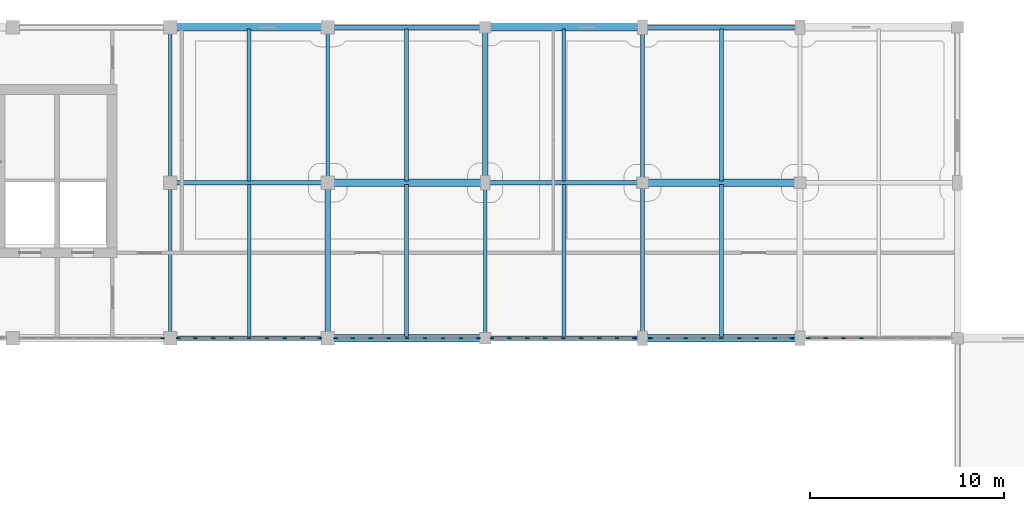
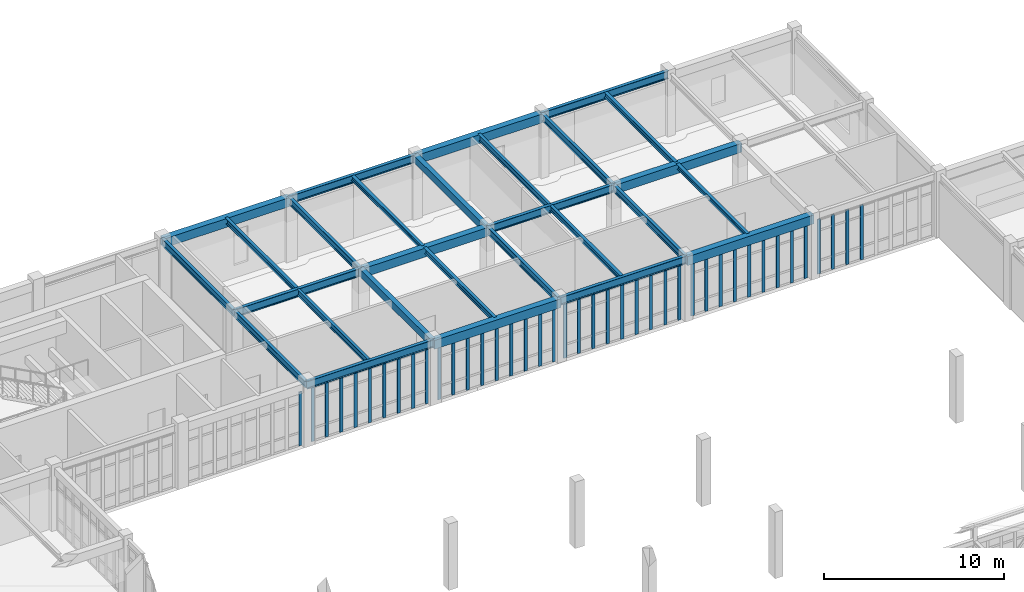
# One storey, part 18 of 67: 41 members, 28 beams, 6 elements without a shape of their own.
"""IFC4 building model written with IfcOpenShell, lengths in metres."""

from ifc_helpers import new_model, si_unit, direction, frame, origin, origin_2d, place, context, subcontext, project, spatial, rectangle, i_section, extrude, material, material_profile, profile_set, type_object, element, aggregate, save


model = new_model("IFC4")

# Units and contexts
model_context = context("Model", 3, precision=1e-05, world=origin(), true_north=direction((0.0, 1.0)))
body_context = subcontext(model_context, "Body", "Model", "MODEL_VIEW")
ifc_project = project(units=[si_unit("LENGTHUNIT", "METRE"), si_unit("AREAUNIT", "SQUARE_METRE"), si_unit("VOLUMEUNIT", "CUBIC_METRE"), si_unit("PLANEANGLEUNIT", "RADIAN"), si_unit("MASSUNIT", "GRAM", prefix="KILO")], contexts=[model_context])

# Site, building, storey
site_placement = place(None, origin())
site = spatial("IfcSite", under=ifc_project, at=site_placement, CompositionType="ELEMENT")
building_placement = place(site_placement, origin())
building = spatial("IfcBuilding", under=site, at=building_placement, Name="Tarnveldt Square Police Headquarters", CompositionType="ELEMENT")
storey_placement = place(building_placement, frame((0.0, 0.0, 10.199951171875)))
storey = spatial("IfcBuildingStorey", under=building, at=storey_placement, Name="L02", CompositionType="ELEMENT", Elevation=10.199951171875)

# Beams
ifc_material_1 = material(Name="Concrete 40 MPa", Category="concrete")
ifc_material_profile_1 = material_profile(ifc_material_1, rectangle(XDim=0.300048828125, YDim=0.5, at=origin_2d()), Name="RC-B300x500")
ifc_profile_set_1 = profile_set([ifc_material_profile_1], Name="Concrete 40 MPa")
beam_type_1 = type_object("IfcBeamType", Name="BM-RC300x500", PredefinedType="BEAM", material=ifc_profile_set_1)
for number, where, z_axis, x_axis, name in (
    (1, (72.89990234375, 96.0, 3.989990234375), (0.0, 1.0, 0.0), (-1.0, 0.0, 0.0), "L03 Grid Girder Y-0784"),
    (2, (81.0, 104.0, 3.989990234375), (0.0, 1.0, 0.0), (-1.0, 0.0, 0.0), "L03 Grid Girder Y-0787"),
):
    element("IfcBeam", number, at=place(storey_placement, frame(where, z_axis=z_axis, x_axis=x_axis)), inside=storey, type_object=beam_type_1, Name=name, PredefinedType="BEAM", context=body_context, shape_type="SweptSolid", body=[
        extrude(rectangle(XDim=0.300048828125, YDim=0.5, at=origin_2d()), origin(), (0.0, 0.0, 1.0), 8.0),
    ])
ifc_material_profile_2 = material_profile(ifc_material_1, rectangle(XDim=0.39990234375, YDim=0.60009765625, at=origin_2d()), Name="RC-B400x600")
ifc_profile_set_2 = profile_set([ifc_material_profile_2], Name="Concrete 40 MPa")
beam_type_2 = type_object("IfcBeamType", Name="BM-RC400x600", PredefinedType="BEAM", material=ifc_profile_set_2)
beam_1_placement = place(storey_placement, frame((72.89990234375, 96.0, 3.93994140625), z_axis=(1.0, 0.0, 0.0), x_axis=(0.0, 1.0, 0.0)))
element("IfcBeam", 3, at=beam_1_placement, inside=storey, type_object=beam_type_2, Name="L03 Grid Girder X-0716", PredefinedType="BEAM", context=body_context, shape_type="SweptSolid", body=[
    extrude(rectangle(XDim=0.39990234375, YDim=0.60009765625, at=origin_2d()), origin(), (0.0, 0.0, 1.0), 8.10009765625),
])
beam_2_placement = place(storey_placement, frame((89.10009765625, 96.0, 3.93994140625), z_axis=(1.0, 0.0, 0.0), x_axis=(0.0, 1.0, 0.0)))
element("IfcBeam", 4, at=beam_2_placement, inside=storey, type_object=beam_type_2, Name="L03 Grid Girder X-0718", PredefinedType="BEAM", context=body_context, shape_type="SweptSolid", body=[
    extrude(rectangle(XDim=0.39990234375, YDim=0.60009765625, at=origin_2d()), origin(), (0.0, 0.0, 1.0), 8.099853515625),
])
beam_3_placement = place(storey_placement, frame((72.89990234375, 104.0, 3.93994140625), z_axis=(1.0, 0.0, 0.0), x_axis=(0.0, 1.0, 0.0)))
element("IfcBeam", 5, at=beam_3_placement, inside=storey, type_object=beam_type_2, Name="L03 Grid Girder X-0724", PredefinedType="BEAM", context=body_context, shape_type="SweptSolid", body=[
    extrude(rectangle(XDim=0.39990234375, YDim=0.60009765625, at=origin_2d()), origin(), (0.0, 0.0, 1.0), 8.10009765625),
])
for number, where, z_axis, x_axis, name in (
    (6, (89.10009765625, 104.0, 3.93994140625), (1.0, 0.0, 0.0), (0.0, 1.0, 0.0), "L03 Grid Girder X-0726"),
    (7, (64.800048828125, 112.0, 3.93994140625), (1.0, 0.0, 0.0), (0.0, 1.0, 0.0), "L03 Grid Girder X-0734"),
):
    element("IfcBeam", number, at=place(storey_placement, frame(where, z_axis=z_axis, x_axis=x_axis)), inside=storey, type_object=beam_type_2, Name=name, PredefinedType="BEAM", context=body_context, shape_type="SweptSolid", body=[
        extrude(rectangle(XDim=0.39990234375, YDim=0.60009765625, at=origin_2d()), origin(), (0.0, 0.0, 1.0), 8.099853515625),
    ])
beam_4_placement = place(storey_placement, frame((81.0, 112.0, 3.93994140625), z_axis=(1.0, 0.0, 0.0), x_axis=(0.0, 1.0, 0.0)))
element("IfcBeam", 8, at=beam_4_placement, inside=storey, type_object=beam_type_2, Name="L03 Grid Girder X-0736", PredefinedType="BEAM", context=body_context, shape_type="SweptSolid", body=[
    extrude(rectangle(XDim=0.39990234375, YDim=0.60009765625, at=origin_2d()), origin(), (0.0, 0.0, 1.0), 8.10009765625),
])
ifc_material_2 = material(Name="Steel 350W", Category="steel")
ifc_material_profile_3 = material_profile(ifc_material_2, i_section(OverallWidth=0.202880859375, OverallDepth=0.302978515625, WebThickness=0.007568359375, FlangeThickness=0.01318359375, FilletRadius=0.014892578125, at=origin_2d()), Name="W310x60")
ifc_profile_set_3 = profile_set([ifc_material_profile_3], Name="Steel 350W")
beam_type_3 = type_object("IfcBeamType", Name="BM-W310x60", PredefinedType="JOIST", material=ifc_profile_set_3)
for number, where, z_axis, x_axis, name in (
    (9, (93.14990234375, 96.080078125, 4.088623046875), (0.0, 1.0, 0.0), (-1.0, 0.0, 0.0), "L03 Secondary Floor Joist 0172"),
    (10, (76.949951171875, 104.080078125, 4.088623046875), (0.0, 1.0, 0.0), (-1.0, 0.0, 0.0), "L03 Secondary Floor Joist 0176"),
):
    element("IfcBeam", number, at=place(storey_placement, frame(where, z_axis=z_axis, x_axis=x_axis)), inside=storey, type_object=beam_type_3, Name=name, PredefinedType="JOIST", context=body_context, shape_type="SweptSolid", body=[
        extrude(i_section(OverallWidth=0.202880859375, OverallDepth=0.302978515625, WebThickness=0.007568359375, FlangeThickness=0.01318359375, FilletRadius=0.014892578125, at=origin_2d()), origin(), (0.0, 0.0, 1.0), 7.83984375),
    ])
ifc_material_profile_4 = material_profile(ifc_material_2, i_section(OverallWidth=0.202880859375, OverallDepth=0.346923828125, WebThickness=0.0078125, FlangeThickness=0.013427734375, FilletRadius=0.01611328125, at=origin_2d()), Name="W360x64")
ifc_profile_set_4 = profile_set([ifc_material_profile_4], Name="Steel 350W")
beam_type_4 = type_object("IfcBeamType", Name="BM-W360x64", PredefinedType="JOIST", material=ifc_profile_set_4)
for number, where, z_axis, x_axis, name in (
    (11, (85.050048828125, 96.080078125, 4.066650390625), (0.0, 1.0, 0.0), (-1.0, 0.0, 0.0), "L03 Secondary Floor Joist 0171"),
    (12, (68.85009765625, 104.080078125, 4.066650390625), (0.0, 1.0, 0.0), (-1.0, 0.0, 0.0), "L03 Secondary Floor Joist 0175"),
):
    element("IfcBeam", number, at=place(storey_placement, frame(where, z_axis=z_axis, x_axis=x_axis)), inside=storey, type_object=beam_type_4, Name=name, PredefinedType="JOIST", context=body_context, shape_type="SweptSolid", body=[
        extrude(i_section(OverallWidth=0.202880859375, OverallDepth=0.346923828125, WebThickness=0.0078125, FlangeThickness=0.013427734375, FilletRadius=0.01611328125, at=origin_2d()), origin(), (0.0, 0.0, 1.0), 7.83984375),
    ])
ifc_material_profile_5 = material_profile(ifc_material_2, i_section(OverallWidth=0.205078125, OverallDepth=0.35400390625, WebThickness=0.009521484375, FlangeThickness=0.016845703125, FilletRadius=0.01611328125, at=origin_2d()), Name="W360x79")
ifc_profile_set_5 = profile_set([ifc_material_profile_5], Name="Steel 350W")
beam_type_5 = type_object("IfcBeamType", Name="BM-W360x79", PredefinedType="JOIST", material=ifc_profile_set_5)
for number, where, z_axis, x_axis, name in (
    (13, (76.949951171875, 96.080078125, 4.06298828125), (0.0, 1.0, 0.0), (-1.0, 0.0, 0.0), "L03 Secondary Floor Joist 0170"),
    (14, (93.14990234375, 104.080078125, 4.06298828125), (0.0, 1.0, 0.0), (-1.0, 0.0, 0.0), "L03 Secondary Floor Joist 0178"),
):
    element("IfcBeam", number, at=place(storey_placement, frame(where, z_axis=z_axis, x_axis=x_axis)), inside=storey, type_object=beam_type_5, Name=name, PredefinedType="JOIST", context=body_context, shape_type="SweptSolid", body=[
        extrude(i_section(OverallWidth=0.205078125, OverallDepth=0.35400390625, WebThickness=0.009521484375, FlangeThickness=0.016845703125, FilletRadius=0.01611328125, at=origin_2d()), origin(), (0.0, 0.0, 1.0), 7.83984375),
    ])
ifc_material_profile_6 = material_profile(ifc_material_2, i_section(OverallWidth=0.177978515625, OverallDepth=0.406982421875, WebThickness=0.0078125, FlangeThickness=0.0126953125, FilletRadius=0.01611328125, at=origin_2d()), Name="W410x60")
ifc_profile_set_6 = profile_set([ifc_material_profile_6], Name="Steel 350W")
beam_type_6 = type_object("IfcBeamType", Name="BM-W410x60", PredefinedType="JOIST", material=ifc_profile_set_6)
for number, where, z_axis, x_axis, name in (
    (15, (68.85009765625, 96.080078125, 4.03662109375), (0.0, 1.0, 0.0), (-1.0, 0.0, 0.0), "L03 Secondary Floor Joist 0169"),
    (16, (85.050048828125, 104.080078125, 4.03662109375), (0.0, 1.0, 0.0), (-1.0, 0.0, 0.0), "L03 Secondary Floor Joist 0177"),
):
    element("IfcBeam", number, at=place(storey_placement, frame(where, z_axis=z_axis, x_axis=x_axis)), inside=storey, type_object=beam_type_6, Name=name, PredefinedType="JOIST", context=body_context, shape_type="SweptSolid", body=[
        extrude(i_section(OverallWidth=0.177978515625, OverallDepth=0.406982421875, WebThickness=0.0078125, FlangeThickness=0.0126953125, FilletRadius=0.01611328125, at=origin_2d()), origin(), (0.0, 0.0, 1.0), 7.83984375),
    ])
ifc_material_profile_7 = material_profile(ifc_material_2, i_section(OverallWidth=0.19189453125, OverallDepth=0.462890625, WebThickness=0.010498046875, FlangeThickness=0.017578125, FilletRadius=0.01806640625, at=origin_2d()), Name="W460x89")
ifc_profile_set_7 = profile_set([ifc_material_profile_7], Name="Steel 350W")
beam_type_7 = type_object("IfcBeamType", Name="BM-W460x89", PredefinedType="BEAM", material=ifc_profile_set_7)
for number, where, z_axis, x_axis, name in (
    (17, (64.800048828125, 96.0, 4.008544921875), (0.0, 1.0, 0.0), (-1.0, 0.0, 0.0), "L03 Grid Girder Y-0782"),
    (18, (64.800048828125, 104.0, 4.008544921875), (0.0, 1.0, 0.0), (-1.0, 0.0, 0.0), "L03 Grid Girder Y-0783"),
    (19, (72.89990234375, 104.0, 4.008544921875), (0.0, 1.0, 0.0), (-1.0, 0.0, 0.0), "L03 Grid Girder Y-0785"),
    (20, (81.0, 96.0, 4.008544921875), (0.0, 1.0, 0.0), (-1.0, 0.0, 0.0), "L03 Grid Girder Y-0786"),
    (21, (89.10009765625, 96.0, 4.008544921875), (0.0, 1.0, 0.0), (-1.0, 0.0, 0.0), "L03 Grid Girder Y-0788"),
    (22, (89.10009765625, 104.0, 4.008544921875), (0.0, 1.0, 0.0), (-1.0, 0.0, 0.0), "L03 Grid Girder Y-0789"),
):
    element("IfcBeam", number, at=place(storey_placement, frame(where, z_axis=z_axis, x_axis=x_axis)), inside=storey, type_object=beam_type_7, Name=name, PredefinedType="BEAM", context=body_context, shape_type="SweptSolid", body=[
        extrude(i_section(OverallWidth=0.19189453125, OverallDepth=0.462890625, WebThickness=0.010498046875, FlangeThickness=0.017578125, FilletRadius=0.01806640625, at=origin_2d()), origin(), (0.0, 0.0, 1.0), 8.0),
    ])
ifc_material_profile_8 = material_profile(ifc_material_2, i_section(OverallWidth=0.208984375, OverallDepth=0.532958984375, WebThickness=0.01025390625, FlangeThickness=0.015625, FilletRadius=0.01904296875, at=origin_2d()), Name="W530x92")
ifc_profile_set_8 = profile_set([ifc_material_profile_8], Name="Steel 350W")
beam_type_8 = type_object("IfcBeamType", Name="BM-W530x92", PredefinedType="BEAM", material=ifc_profile_set_8)
beam_5_placement = place(storey_placement, frame((64.800048828125, 96.0, 3.9736328125), z_axis=(1.0, 0.0, 0.0), x_axis=(0.0, 1.0, 0.0)))
element("IfcBeam", 23, at=beam_5_placement, inside=storey, type_object=beam_type_8, Name="L03 Grid Girder X-0715", PredefinedType="BEAM", context=body_context, shape_type="SweptSolid", body=[
    extrude(i_section(OverallWidth=0.208984375, OverallDepth=0.532958984375, WebThickness=0.01025390625, FlangeThickness=0.015625, FilletRadius=0.01904296875, at=origin_2d()), origin(), (0.0, 0.0, 1.0), 8.099853515625),
])
beam_6_placement = place(storey_placement, frame((81.0, 96.0, 3.9736328125), z_axis=(1.0, 0.0, 0.0), x_axis=(0.0, 1.0, 0.0)))
element("IfcBeam", 24, at=beam_6_placement, inside=storey, type_object=beam_type_8, Name="L03 Grid Girder X-0717", PredefinedType="BEAM", context=body_context, shape_type="SweptSolid", body=[
    extrude(i_section(OverallWidth=0.208984375, OverallDepth=0.532958984375, WebThickness=0.01025390625, FlangeThickness=0.015625, FilletRadius=0.01904296875, at=origin_2d()), origin(), (0.0, 0.0, 1.0), 8.10009765625),
])
beam_7_placement = place(storey_placement, frame((64.800048828125, 104.0, 3.9736328125), z_axis=(1.0, 0.0, 0.0), x_axis=(0.0, 1.0, 0.0)))
element("IfcBeam", 25, at=beam_7_placement, inside=storey, type_object=beam_type_8, Name="L03 Grid Girder X-0723", PredefinedType="BEAM", context=body_context, shape_type="SweptSolid", body=[
    extrude(i_section(OverallWidth=0.208984375, OverallDepth=0.532958984375, WebThickness=0.01025390625, FlangeThickness=0.015625, FilletRadius=0.01904296875, at=origin_2d()), origin(), (0.0, 0.0, 1.0), 8.099853515625),
])
for number, where, z_axis, x_axis, name in (
    (26, (81.0, 104.0, 3.9736328125), (1.0, 0.0, 0.0), (0.0, 1.0, 0.0), "L03 Grid Girder X-0725"),
    (27, (72.89990234375, 112.0, 3.9736328125), (1.0, 0.0, 0.0), (0.0, 1.0, 0.0), "L03 Grid Girder X-0735"),
):
    element("IfcBeam", number, at=place(storey_placement, frame(where, z_axis=z_axis, x_axis=x_axis)), inside=storey, type_object=beam_type_8, Name=name, PredefinedType="BEAM", context=body_context, shape_type="SweptSolid", body=[
        extrude(i_section(OverallWidth=0.208984375, OverallDepth=0.532958984375, WebThickness=0.01025390625, FlangeThickness=0.015625, FilletRadius=0.01904296875, at=origin_2d()), origin(), (0.0, 0.0, 1.0), 8.10009765625),
    ])
beam_8_placement = place(storey_placement, frame((89.10009765625, 112.0, 3.9736328125), z_axis=(1.0, 0.0, 0.0), x_axis=(0.0, 1.0, 0.0)))
element("IfcBeam", 28, at=beam_8_placement, inside=storey, type_object=beam_type_8, Name="L03 Grid Girder X-0737", PredefinedType="BEAM", context=body_context, shape_type="SweptSolid", body=[
    extrude(i_section(OverallWidth=0.208984375, OverallDepth=0.532958984375, WebThickness=0.01025390625, FlangeThickness=0.015625, FilletRadius=0.01904296875, at=origin_2d()), origin(), (0.0, 0.0, 1.0), 8.099853515625),
])

# Curtain wall, member
ifc_material_3 = material(Name="Triple-glazed low-e laminated vision glass", Category="glass")
curtain_wall_type_1 = type_object("IfcCurtainWallType", Name="CW-LB-737x363", PredefinedType="USERDEFINED", material=ifc_material_3)
curtain_wall_1_placement = place(storey_placement, origin())
curtain_wall_1 = element("IfcCurtainWall", 29, at=curtain_wall_1_placement, inside=storey, type_object=curtain_wall_type_1, Name="L02 Curtain Wall CW-L02-113", ObjectType="GLAZED CURTAIN WALL", PredefinedType="USERDEFINED")
ifc_material_4 = material(Name="Thermally broken anodised aluminium 6063-T6", Category="aluminium")
ifc_material_profile_9 = material_profile(ifc_material_4, rectangle(XDim=0.074951171875, YDim=0.199951171875, at=origin_2d()), Name="CW-M75x200")
ifc_profile_set_9 = profile_set([ifc_material_profile_9], Name="Thermally broken anodised aluminium 6063-T6")
member_type = type_object("IfcMemberType", Name="CWM-75x200", PredefinedType="MULLION", material=ifc_profile_set_9)
member_1_placement = place(storey_placement, frame((64.3974609375, 96.0, 0.0), z_axis=(0.0, 0.0, 1.0), x_axis=(0.0, 1.0, 0.0)))
member_1 = element("IfcMember", 30, at=member_1_placement, type_object=member_type, Name="CW-LB66 mullion 9", PredefinedType="MULLION", context=body_context, shape_type="SweptSolid", body=[
    extrude(rectangle(XDim=0.074951171875, YDim=0.199951171875, at=origin_2d()), origin(), (0.0, 0.0, 1.0), 3.632080078125),
])
aggregate(curtain_wall_1, [member_1])

# Curtain wall, members
curtain_wall_type_2 = type_object("IfcCurtainWallType", Name="CW-LB-737x370", PredefinedType="USERDEFINED", material=ifc_material_3)
curtain_wall_2_placement = place(storey_placement, origin())
curtain_wall_2 = element("IfcCurtainWall", 31, at=curtain_wall_2_placement, inside=storey, type_object=curtain_wall_type_2, Name="L02 Curtain Wall CW-L02-114", ObjectType="GLAZED CURTAIN WALL", PredefinedType="USERDEFINED")
member_2_placement = place(storey_placement, frame((65.202392578125, 96.0, 0.0), z_axis=(0.0, 0.0, 1.0), x_axis=(0.0, 1.0, 0.0)))
member_2 = element("IfcMember", 32, at=member_2_placement, type_object=member_type, Name="CW-LB65 mullion 1", PredefinedType="MULLION", context=body_context, shape_type="SweptSolid", body=[
    extrude(rectangle(XDim=0.074951171875, YDim=0.199951171875, at=origin_2d()), origin(), (0.0, 0.0, 1.0), 3.698974609375),
])
member_3_placement = place(storey_placement, frame((66.086181640625, 96.0, 0.0), z_axis=(0.0, 0.0, 1.0), x_axis=(0.0, 1.0, 0.0)))
member_3 = element("IfcMember", 33, at=member_3_placement, type_object=member_type, Name="CW-LB65 mullion 2", PredefinedType="MULLION", context=body_context, shape_type="SweptSolid", body=[
    extrude(rectangle(XDim=0.074951171875, YDim=0.199951171875, at=origin_2d()), origin(), (0.0, 0.0, 1.0), 3.698974609375),
])
member_4_placement = place(storey_placement, frame((67.007568359375, 96.0, 0.0), z_axis=(0.0, 0.0, 1.0), x_axis=(0.0, 1.0, 0.0)))
member_4 = element("IfcMember", 34, at=member_4_placement, type_object=member_type, Name="CW-LB65 mullion 3", PredefinedType="MULLION", context=body_context, shape_type="SweptSolid", body=[
    extrude(rectangle(XDim=0.074951171875, YDim=0.199951171875, at=origin_2d()), origin(), (0.0, 0.0, 1.0), 3.698974609375),
])
member_5_placement = place(storey_placement, frame((67.9287109375, 96.0, 0.0), z_axis=(0.0, 0.0, 1.0), x_axis=(0.0, 1.0, 0.0)))
member_5 = element("IfcMember", 35, at=member_5_placement, type_object=member_type, Name="CW-LB65 mullion 4", PredefinedType="MULLION", context=body_context, shape_type="SweptSolid", body=[
    extrude(rectangle(XDim=0.074951171875, YDim=0.199951171875, at=origin_2d()), origin(), (0.0, 0.0, 1.0), 3.698974609375),
])
member_6_placement = place(storey_placement, frame((68.85009765625, 96.0, 0.0), z_axis=(0.0, 0.0, 1.0), x_axis=(0.0, 1.0, 0.0)))
member_6 = element("IfcMember", 36, at=member_6_placement, type_object=member_type, Name="CW-LB65 mullion 5", PredefinedType="MULLION", context=body_context, shape_type="SweptSolid", body=[
    extrude(rectangle(XDim=0.074951171875, YDim=0.199951171875, at=origin_2d()), origin(), (0.0, 0.0, 1.0), 3.698974609375),
])
member_7_placement = place(storey_placement, frame((69.771240234375, 96.0, 0.0), z_axis=(0.0, 0.0, 1.0), x_axis=(0.0, 1.0, 0.0)))
member_7 = element("IfcMember", 37, at=member_7_placement, type_object=member_type, Name="CW-LB65 mullion 6", PredefinedType="MULLION", context=body_context, shape_type="SweptSolid", body=[
    extrude(rectangle(XDim=0.074951171875, YDim=0.199951171875, at=origin_2d()), origin(), (0.0, 0.0, 1.0), 3.698974609375),
])
member_8_placement = place(storey_placement, frame((70.6923828125, 96.0, 0.0), z_axis=(0.0, 0.0, 1.0), x_axis=(0.0, 1.0, 0.0)))
member_8 = element("IfcMember", 38, at=member_8_placement, type_object=member_type, Name="CW-LB65 mullion 7", PredefinedType="MULLION", context=body_context, shape_type="SweptSolid", body=[
    extrude(rectangle(XDim=0.074951171875, YDim=0.199951171875, at=origin_2d()), origin(), (0.0, 0.0, 1.0), 3.698974609375),
])
member_9_placement = place(storey_placement, frame((71.61376953125, 96.0, 0.0), z_axis=(0.0, 0.0, 1.0), x_axis=(0.0, 1.0, 0.0)))
member_9 = element("IfcMember", 39, at=member_9_placement, type_object=member_type, Name="CW-LB65 mullion 8", PredefinedType="MULLION", context=body_context, shape_type="SweptSolid", body=[
    extrude(rectangle(XDim=0.074951171875, YDim=0.199951171875, at=origin_2d()), origin(), (0.0, 0.0, 1.0), 3.698974609375),
])
member_10_placement = place(storey_placement, frame((72.49755859375, 96.0, 0.0), z_axis=(0.0, 0.0, 1.0), x_axis=(0.0, 1.0, 0.0)))
member_10 = element("IfcMember", 40, at=member_10_placement, type_object=member_type, Name="CW-LB65 mullion 9", PredefinedType="MULLION", context=body_context, shape_type="SweptSolid", body=[
    extrude(rectangle(XDim=0.074951171875, YDim=0.199951171875, at=origin_2d()), origin(), (0.0, 0.0, 1.0), 3.698974609375),
])
aggregate(curtain_wall_2, [member_2, member_3, member_4, member_5, member_6, member_7, member_8, member_9, member_10])

curtain_wall_type_3 = type_object("IfcCurtainWallType", Name="CW-LB-742x363", PredefinedType="USERDEFINED", material=ifc_material_3)
curtain_wall_3_placement = place(storey_placement, origin())
curtain_wall_3 = element("IfcCurtainWall", 41, at=curtain_wall_3_placement, inside=storey, type_object=curtain_wall_type_3, Name="L02 Curtain Wall CW-L02-115", ObjectType="GLAZED CURTAIN WALL", PredefinedType="USERDEFINED")
member_11_placement = place(storey_placement, frame((73.302490234375, 96.0, 0.0), z_axis=(0.0, 0.0, 1.0), x_axis=(0.0, 1.0, 0.0)))
member_11 = element("IfcMember", 42, at=member_11_placement, type_object=member_type, Name="CW-LB67 mullion 1", PredefinedType="MULLION", context=body_context, shape_type="SweptSolid", body=[
    extrude(rectangle(XDim=0.074951171875, YDim=0.199951171875, at=origin_2d()), origin(), (0.0, 0.0, 1.0), 3.632080078125),
])
member_12_placement = place(storey_placement, frame((74.1923828125, 96.0, 0.0), z_axis=(0.0, 0.0, 1.0), x_axis=(0.0, 1.0, 0.0)))
member_12 = element("IfcMember", 43, at=member_12_placement, type_object=member_type, Name="CW-LB67 mullion 2", PredefinedType="MULLION", context=body_context, shape_type="SweptSolid", body=[
    extrude(rectangle(XDim=0.074951171875, YDim=0.199951171875, at=origin_2d()), origin(), (0.0, 0.0, 1.0), 3.632080078125),
])
member_13_placement = place(storey_placement, frame((75.1201171875, 96.0, 0.0), z_axis=(0.0, 0.0, 1.0), x_axis=(0.0, 1.0, 0.0)))
member_13 = element("IfcMember", 44, at=member_13_placement, type_object=member_type, Name="CW-LB67 mullion 3", PredefinedType="MULLION", context=body_context, shape_type="SweptSolid", body=[
    extrude(rectangle(XDim=0.074951171875, YDim=0.199951171875, at=origin_2d()), origin(), (0.0, 0.0, 1.0), 3.632080078125),
])
member_14_placement = place(storey_placement, frame((76.047607421875, 96.0, 0.0), z_axis=(0.0, 0.0, 1.0), x_axis=(0.0, 1.0, 0.0)))
member_14 = element("IfcMember", 45, at=member_14_placement, type_object=member_type, Name="CW-LB67 mullion 4", PredefinedType="MULLION", context=body_context, shape_type="SweptSolid", body=[
    extrude(rectangle(XDim=0.074951171875, YDim=0.199951171875, at=origin_2d()), origin(), (0.0, 0.0, 1.0), 3.632080078125),
])
member_15_placement = place(storey_placement, frame((76.97509765625, 96.0, 0.0), z_axis=(0.0, 0.0, 1.0), x_axis=(0.0, 1.0, 0.0)))
member_15 = element("IfcMember", 46, at=member_15_placement, type_object=member_type, Name="CW-LB67 mullion 5", PredefinedType="MULLION", context=body_context, shape_type="SweptSolid", body=[
    extrude(rectangle(XDim=0.074951171875, YDim=0.199951171875, at=origin_2d()), origin(), (0.0, 0.0, 1.0), 3.632080078125),
])
member_16_placement = place(storey_placement, frame((77.902587890625, 96.0, 0.0), z_axis=(0.0, 0.0, 1.0), x_axis=(0.0, 1.0, 0.0)))
member_16 = element("IfcMember", 47, at=member_16_placement, type_object=member_type, Name="CW-LB67 mullion 6", PredefinedType="MULLION", context=body_context, shape_type="SweptSolid", body=[
    extrude(rectangle(XDim=0.074951171875, YDim=0.199951171875, at=origin_2d()), origin(), (0.0, 0.0, 1.0), 3.632080078125),
])
member_17_placement = place(storey_placement, frame((78.830078125, 96.0, 0.0), z_axis=(0.0, 0.0, 1.0), x_axis=(0.0, 1.0, 0.0)))
member_17 = element("IfcMember", 48, at=member_17_placement, type_object=member_type, Name="CW-LB67 mullion 7", PredefinedType="MULLION", context=body_context, shape_type="SweptSolid", body=[
    extrude(rectangle(XDim=0.074951171875, YDim=0.199951171875, at=origin_2d()), origin(), (0.0, 0.0, 1.0), 3.632080078125),
])
member_18_placement = place(storey_placement, frame((79.757568359375, 96.0, 0.0), z_axis=(0.0, 0.0, 1.0), x_axis=(0.0, 1.0, 0.0)))
member_18 = element("IfcMember", 49, at=member_18_placement, type_object=member_type, Name="CW-LB67 mullion 8", PredefinedType="MULLION", context=body_context, shape_type="SweptSolid", body=[
    extrude(rectangle(XDim=0.074951171875, YDim=0.199951171875, at=origin_2d()), origin(), (0.0, 0.0, 1.0), 3.632080078125),
])
member_19_placement = place(storey_placement, frame((80.6474609375, 96.0, 0.0), z_axis=(0.0, 0.0, 1.0), x_axis=(0.0, 1.0, 0.0)))
member_19 = element("IfcMember", 50, at=member_19_placement, type_object=member_type, Name="CW-LB67 mullion 9", PredefinedType="MULLION", context=body_context, shape_type="SweptSolid", body=[
    extrude(rectangle(XDim=0.074951171875, YDim=0.199951171875, at=origin_2d()), origin(), (0.0, 0.0, 1.0), 3.632080078125),
])
aggregate(curtain_wall_3, [member_11, member_12, member_13, member_14, member_15, member_16, member_17, member_18, member_19])

curtain_wall_type_4 = type_object("IfcCurtainWallType", Name="CW-LB-739x370", PredefinedType="USERDEFINED", material=ifc_material_3)
curtain_wall_4_placement = place(storey_placement, origin())
curtain_wall_4 = element("IfcCurtainWall", 51, at=curtain_wall_4_placement, inside=storey, type_object=curtain_wall_type_4, Name="L02 Curtain Wall CW-L02-116", ObjectType="GLAZED CURTAIN WALL", PredefinedType="USERDEFINED")
member_20_placement = place(storey_placement, frame((81.3525390625, 96.0, 0.0), z_axis=(0.0, 0.0, 1.0), x_axis=(0.0, 1.0, 0.0)))
member_20 = element("IfcMember", 52, at=member_20_placement, type_object=member_type, Name="CW-LB68 mullion 1", PredefinedType="MULLION", context=body_context, shape_type="SweptSolid", body=[
    extrude(rectangle(XDim=0.074951171875, YDim=0.199951171875, at=origin_2d()), origin(), (0.0, 0.0, 1.0), 3.698974609375),
])
member_21_placement = place(storey_placement, frame((82.2392578125, 96.0, 0.0), z_axis=(0.0, 0.0, 1.0), x_axis=(0.0, 1.0, 0.0)))
member_21 = element("IfcMember", 53, at=member_21_placement, type_object=member_type, Name="CW-LB68 mullion 2", PredefinedType="MULLION", context=body_context, shape_type="SweptSolid", body=[
    extrude(rectangle(XDim=0.074951171875, YDim=0.199951171875, at=origin_2d()), origin(), (0.0, 0.0, 1.0), 3.698974609375),
])
member_22_placement = place(storey_placement, frame((83.163818359375, 96.0, 0.0), z_axis=(0.0, 0.0, 1.0), x_axis=(0.0, 1.0, 0.0)))
member_22 = element("IfcMember", 54, at=member_22_placement, type_object=member_type, Name="CW-LB68 mullion 3", PredefinedType="MULLION", context=body_context, shape_type="SweptSolid", body=[
    extrude(rectangle(XDim=0.074951171875, YDim=0.199951171875, at=origin_2d()), origin(), (0.0, 0.0, 1.0), 3.698974609375),
])
member_23_placement = place(storey_placement, frame((84.088134765625, 96.0, 0.0), z_axis=(0.0, 0.0, 1.0), x_axis=(0.0, 1.0, 0.0)))
member_23 = element("IfcMember", 55, at=member_23_placement, type_object=member_type, Name="CW-LB68 mullion 4", PredefinedType="MULLION", context=body_context, shape_type="SweptSolid", body=[
    extrude(rectangle(XDim=0.074951171875, YDim=0.199951171875, at=origin_2d()), origin(), (0.0, 0.0, 1.0), 3.698974609375),
])
member_24_placement = place(storey_placement, frame((85.012451171875, 96.0, 0.0), z_axis=(0.0, 0.0, 1.0), x_axis=(0.0, 1.0, 0.0)))
member_24 = element("IfcMember", 56, at=member_24_placement, type_object=member_type, Name="CW-LB68 mullion 5", PredefinedType="MULLION", context=body_context, shape_type="SweptSolid", body=[
    extrude(rectangle(XDim=0.074951171875, YDim=0.199951171875, at=origin_2d()), origin(), (0.0, 0.0, 1.0), 3.698974609375),
])
member_25_placement = place(storey_placement, frame((85.936767578125, 96.0, 0.0), z_axis=(0.0, 0.0, 1.0), x_axis=(0.0, 1.0, 0.0)))
member_25 = element("IfcMember", 57, at=member_25_placement, type_object=member_type, Name="CW-LB68 mullion 6", PredefinedType="MULLION", context=body_context, shape_type="SweptSolid", body=[
    extrude(rectangle(XDim=0.074951171875, YDim=0.199951171875, at=origin_2d()), origin(), (0.0, 0.0, 1.0), 3.698974609375),
])
member_26_placement = place(storey_placement, frame((86.861328125, 96.0, 0.0), z_axis=(0.0, 0.0, 1.0), x_axis=(0.0, 1.0, 0.0)))
member_26 = element("IfcMember", 58, at=member_26_placement, type_object=member_type, Name="CW-LB68 mullion 7", PredefinedType="MULLION", context=body_context, shape_type="SweptSolid", body=[
    extrude(rectangle(XDim=0.074951171875, YDim=0.199951171875, at=origin_2d()), origin(), (0.0, 0.0, 1.0), 3.698974609375),
])
member_27_placement = place(storey_placement, frame((87.78564453125, 96.0, 0.0), z_axis=(0.0, 0.0, 1.0), x_axis=(0.0, 1.0, 0.0)))
member_27 = element("IfcMember", 59, at=member_27_placement, type_object=member_type, Name="CW-LB68 mullion 8", PredefinedType="MULLION", context=body_context, shape_type="SweptSolid", body=[
    extrude(rectangle(XDim=0.074951171875, YDim=0.199951171875, at=origin_2d()), origin(), (0.0, 0.0, 1.0), 3.698974609375),
])
member_28_placement = place(storey_placement, frame((88.672607421875, 96.0, 0.0), z_axis=(0.0, 0.0, 1.0), x_axis=(0.0, 1.0, 0.0)))
member_28 = element("IfcMember", 60, at=member_28_placement, type_object=member_type, Name="CW-LB68 mullion 9", PredefinedType="MULLION", context=body_context, shape_type="SweptSolid", body=[
    extrude(rectangle(XDim=0.074951171875, YDim=0.199951171875, at=origin_2d()), origin(), (0.0, 0.0, 1.0), 3.698974609375),
])
aggregate(curtain_wall_4, [member_20, member_21, member_22, member_23, member_24, member_25, member_26, member_27, member_28])

curtain_wall_type_5 = type_object("IfcCurtainWallType", Name="CW-LB-732x363", PredefinedType="USERDEFINED", material=ifc_material_3)
curtain_wall_5_placement = place(storey_placement, origin())
curtain_wall_5 = element("IfcCurtainWall", 61, at=curtain_wall_5_placement, inside=storey, type_object=curtain_wall_type_5, Name="L02 Curtain Wall CW-L02-117", ObjectType="GLAZED CURTAIN WALL", PredefinedType="USERDEFINED")
member_29_placement = place(storey_placement, frame((89.527587890625, 96.0, 0.0), z_axis=(0.0, 0.0, 1.0), x_axis=(0.0, 1.0, 0.0)))
member_29 = element("IfcMember", 62, at=member_29_placement, type_object=member_type, Name="CW-LB69 mullion 1", PredefinedType="MULLION", context=body_context, shape_type="SweptSolid", body=[
    extrude(rectangle(XDim=0.074951171875, YDim=0.199951171875, at=origin_2d()), origin(), (0.0, 0.0, 1.0), 3.632080078125),
])
member_30_placement = place(storey_placement, frame((90.405029296875, 96.0, 0.0), z_axis=(0.0, 0.0, 1.0), x_axis=(0.0, 1.0, 0.0)))
member_30 = element("IfcMember", 63, at=member_30_placement, type_object=member_type, Name="CW-LB69 mullion 2", PredefinedType="MULLION", context=body_context, shape_type="SweptSolid", body=[
    extrude(rectangle(XDim=0.074951171875, YDim=0.199951171875, at=origin_2d()), origin(), (0.0, 0.0, 1.0), 3.632080078125),
])
member_31_placement = place(storey_placement, frame((91.320068359375, 96.0, 0.0), z_axis=(0.0, 0.0, 1.0), x_axis=(0.0, 1.0, 0.0)))
member_31 = element("IfcMember", 64, at=member_31_placement, type_object=member_type, Name="CW-LB69 mullion 3", PredefinedType="MULLION", context=body_context, shape_type="SweptSolid", body=[
    extrude(rectangle(XDim=0.074951171875, YDim=0.199951171875, at=origin_2d()), origin(), (0.0, 0.0, 1.0), 3.632080078125),
])
member_32_placement = place(storey_placement, frame((92.235107421875, 96.0, 0.0), z_axis=(0.0, 0.0, 1.0), x_axis=(0.0, 1.0, 0.0)))
member_32 = element("IfcMember", 65, at=member_32_placement, type_object=member_type, Name="CW-LB69 mullion 4", PredefinedType="MULLION", context=body_context, shape_type="SweptSolid", body=[
    extrude(rectangle(XDim=0.074951171875, YDim=0.199951171875, at=origin_2d()), origin(), (0.0, 0.0, 1.0), 3.632080078125),
])
member_33_placement = place(storey_placement, frame((93.14990234375, 96.0, 0.0), z_axis=(0.0, 0.0, 1.0), x_axis=(0.0, 1.0, 0.0)))
member_33 = element("IfcMember", 66, at=member_33_placement, type_object=member_type, Name="CW-LB69 mullion 5", PredefinedType="MULLION", context=body_context, shape_type="SweptSolid", body=[
    extrude(rectangle(XDim=0.074951171875, YDim=0.199951171875, at=origin_2d()), origin(), (0.0, 0.0, 1.0), 3.632080078125),
])
member_34_placement = place(storey_placement, frame((94.06494140625, 96.0, 0.0), z_axis=(0.0, 0.0, 1.0), x_axis=(0.0, 1.0, 0.0)))
member_34 = element("IfcMember", 67, at=member_34_placement, type_object=member_type, Name="CW-LB69 mullion 6", PredefinedType="MULLION", context=body_context, shape_type="SweptSolid", body=[
    extrude(rectangle(XDim=0.074951171875, YDim=0.199951171875, at=origin_2d()), origin(), (0.0, 0.0, 1.0), 3.632080078125),
])
member_35_placement = place(storey_placement, frame((94.97998046875, 96.0, 0.0), z_axis=(0.0, 0.0, 1.0), x_axis=(0.0, 1.0, 0.0)))
member_35 = element("IfcMember", 68, at=member_35_placement, type_object=member_type, Name="CW-LB69 mullion 7", PredefinedType="MULLION", context=body_context, shape_type="SweptSolid", body=[
    extrude(rectangle(XDim=0.074951171875, YDim=0.199951171875, at=origin_2d()), origin(), (0.0, 0.0, 1.0), 3.632080078125),
])
member_36_placement = place(storey_placement, frame((95.89501953125, 96.0, 0.0), z_axis=(0.0, 0.0, 1.0), x_axis=(0.0, 1.0, 0.0)))
member_36 = element("IfcMember", 69, at=member_36_placement, type_object=member_type, Name="CW-LB69 mullion 8", PredefinedType="MULLION", context=body_context, shape_type="SweptSolid", body=[
    extrude(rectangle(XDim=0.074951171875, YDim=0.199951171875, at=origin_2d()), origin(), (0.0, 0.0, 1.0), 3.632080078125),
])
member_37_placement = place(storey_placement, frame((96.7724609375, 96.0, 0.0), z_axis=(0.0, 0.0, 1.0), x_axis=(0.0, 1.0, 0.0)))
member_37 = element("IfcMember", 70, at=member_37_placement, type_object=member_type, Name="CW-LB69 mullion 9", PredefinedType="MULLION", context=body_context, shape_type="SweptSolid", body=[
    extrude(rectangle(XDim=0.074951171875, YDim=0.199951171875, at=origin_2d()), origin(), (0.0, 0.0, 1.0), 3.632080078125),
])
aggregate(curtain_wall_5, [member_29, member_30, member_31, member_32, member_33, member_34, member_35, member_36, member_37])

curtain_wall_6_placement = place(storey_placement, origin())
curtain_wall_6 = element("IfcCurtainWall", 71, at=curtain_wall_6_placement, inside=storey, type_object=curtain_wall_type_4, Name="L02 Curtain Wall CW-L02-118", ObjectType="GLAZED CURTAIN WALL", PredefinedType="USERDEFINED")
member_38_placement = place(storey_placement, frame((97.62744140625, 96.0, 0.0), z_axis=(0.0, 0.0, 1.0), x_axis=(0.0, 1.0, 0.0)))
member_38 = element("IfcMember", 72, at=member_38_placement, type_object=member_type, Name="CW-LB68 mullion 1", PredefinedType="MULLION", context=body_context, shape_type="SweptSolid", body=[
    extrude(rectangle(XDim=0.074951171875, YDim=0.199951171875, at=origin_2d()), origin(), (0.0, 0.0, 1.0), 3.698974609375),
])
member_39_placement = place(storey_placement, frame((98.514404296875, 96.0, 0.0), z_axis=(0.0, 0.0, 1.0), x_axis=(0.0, 1.0, 0.0)))
member_39 = element("IfcMember", 73, at=member_39_placement, type_object=member_type, Name="CW-LB68 mullion 2", PredefinedType="MULLION", context=body_context, shape_type="SweptSolid", body=[
    extrude(rectangle(XDim=0.074951171875, YDim=0.199951171875, at=origin_2d()), origin(), (0.0, 0.0, 1.0), 3.698974609375),
])
member_40_placement = place(storey_placement, frame((99.438720703125, 96.0, 0.0), z_axis=(0.0, 0.0, 1.0), x_axis=(0.0, 1.0, 0.0)))
member_40 = element("IfcMember", 74, at=member_40_placement, type_object=member_type, Name="CW-LB68 mullion 3", PredefinedType="MULLION", context=body_context, shape_type="SweptSolid", body=[
    extrude(rectangle(XDim=0.074951171875, YDim=0.199951171875, at=origin_2d()), origin(), (0.0, 0.0, 1.0), 3.698974609375),
])
member_41_placement = place(storey_placement, frame((100.363037109375, 96.0, 0.0), z_axis=(0.0, 0.0, 1.0), x_axis=(0.0, 1.0, 0.0)))
member_41 = element("IfcMember", 75, at=member_41_placement, type_object=member_type, Name="CW-LB68 mullion 4", PredefinedType="MULLION", context=body_context, shape_type="SweptSolid", body=[
    extrude(rectangle(XDim=0.074951171875, YDim=0.199951171875, at=origin_2d()), origin(), (0.0, 0.0, 1.0), 3.698974609375),
])
aggregate(curtain_wall_6, [member_38, member_39, member_40, member_41])

save(model, "model.ifc")
